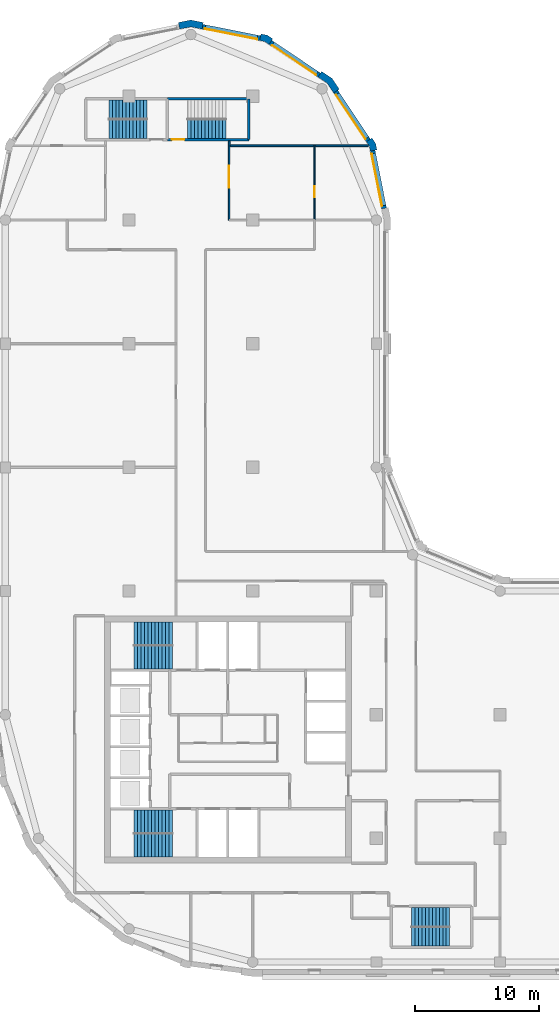
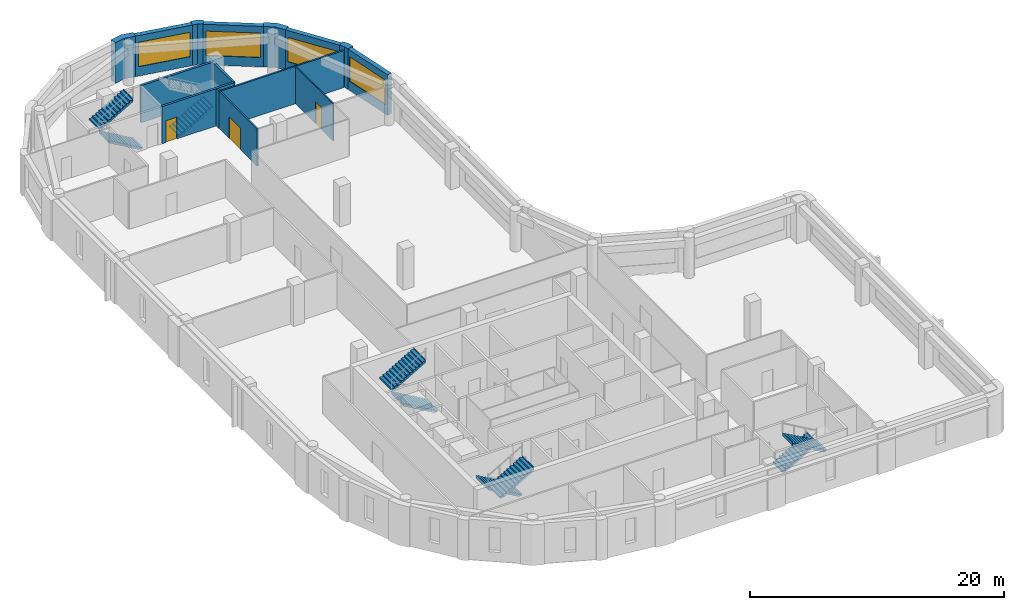
# One storey, part 6 of 9: 15 walls, 9 stair flights, 4 windows, 3 doors, 7 openings, 5 elements without a shape of their own.
"""IFC4 building model written with IfcOpenShell, lengths in metres."""

from ifc_helpers import new_model, si_unit, direction, frame, frame_2d, origin, place, context, subcontext, project, spatial, polyline, rectangle, outline, extrude, material, layer, layer_set, type_object, element, fill, aggregate, save


model = new_model("IFC4")

# Units and contexts
model_context = context("Model", 3, precision=1e-05, world=origin(), true_north=direction((0.0, 1.0)))
body_context = subcontext(model_context, "Body", "Model", "MODEL_VIEW")
ifc_project = project(units=[si_unit("LENGTHUNIT", "METRE"), si_unit("AREAUNIT", "SQUARE_METRE"), si_unit("VOLUMEUNIT", "CUBIC_METRE"), si_unit("PLANEANGLEUNIT", "RADIAN"), si_unit("MASSUNIT", "GRAM", prefix="KILO")], contexts=[model_context])

# Site, building, storey
site_placement = place(None, origin())
site = spatial("IfcSite", under=ifc_project, at=site_placement, CompositionType="ELEMENT")
building_placement = place(site_placement, origin())
building = spatial("IfcBuilding", under=site, at=building_placement, Name="Qaws Garden Tower", CompositionType="ELEMENT")
storey_placement = place(building_placement, frame((0.0, 0.0, 259.199951171875)))
storey = spatial("IfcBuildingStorey", under=building, at=storey_placement, Name="L62", CompositionType="ELEMENT", Elevation=259.199951171875)

# Wall, opening, window
ifc_material_1 = material(Name="Clay facing brick masonry", Category="masonry")
ifc_layer_1 = layer(ifc_material_1, 0.39990234375)
ifc_layer_set_1 = layer_set([ifc_layer_1], Name="Clay facing brick masonry")
wall_type_1 = type_object("IfcWallType", Name="Brick infill wall 400", PredefinedType="SOLIDWALL", material=ifc_layer_set_1)
wall_1_placement = place(storey_placement, frame((30.628662109375, 60.940673828125, 0.0), z_axis=(0.0, 0.0, 1.0), x_axis=(-0.195098533057, 0.98078364709, 0.0)))
wall_1 = element("IfcWall", 1, at=wall_1_placement, inside=storey, type_object=wall_type_1, Name="E-L62-infill-11", PredefinedType="SOLIDWALL", context=body_context, shape_type="SweptSolid", body=[
    extrude(rectangle(XDim=4.752685546875, YDim=0.39990234375, at=frame_2d((2.37646484375, 0.0))), origin(), (0.0, 0.0, 1.0), 3.900146484375),
])
opening_1_placement = place(wall_1_placement, frame((0.226318359375, 0.0, 0.89990234375)))
opening_1 = element("IfcOpeningElement", 2, at=opening_1_placement, cuts=wall_1, Name="Opening W06", PredefinedType="OPENING", context=body_context, shape_type="SweptSolid", body=[
    extrude(rectangle(XDim=4.300048828125, YDim=2.35009765625, at=frame_2d((2.14990234375, 1.175048828125))), frame((0.0, 0.2099609375, 0.0), z_axis=(0.0, -1.0, 0.0), x_axis=(1.0, 0.0, 0.0)), (0.0, 0.0, 1.0), 0.419921875),
])
ifc_material_2 = material(Name="Aluminium framed window, clear glazing", Category="aluminium")
window_type = type_object("IfcWindowType", Name="Ribbon window 4300 x 2350", PartitioningType="DOUBLE_PANEL_VERTICAL", PredefinedType="WINDOW", material=ifc_material_2)
window_1_placement = place(opening_1_placement, origin())
window_1 = element("IfcWindow", 3, at=window_1_placement, inside=storey, type_object=window_type, Name="E-L62-window-11-0", OverallHeight=2.35009765625, OverallWidth=4.300048828125, PartitioningType="SINGLE_PANEL", PredefinedType="WINDOW", context=body_context, shape_type="SweptSolid", body=[
    extrude(rectangle(XDim=4.300048828125, YDim=2.35009765625, at=frame_2d((2.14990234375, 1.175048828125))), frame((0.0, 0.159912109375, 0.0), z_axis=(0.0, -1.0, 0.0), x_axis=(1.0, 0.0, 0.0)), (0.0, 0.0, 1.0), 0.06005859375),
])
fill(opening_1, window_1)

wall_2_placement = place(storey_placement, frame((29.356689453125, 66.43408203125, 0.0), z_axis=(0.0, 0.0, 1.0), x_axis=(-0.555541552266, 0.831488775454, 0.0)))
wall_2 = element("IfcWall", 4, at=wall_2_placement, inside=storey, type_object=wall_type_1, Name="E-L62-infill-12", PredefinedType="SOLIDWALL", context=body_context, shape_type="SweptSolid", body=[
    extrude(rectangle(XDim=4.752685546875, YDim=0.39990234375, at=frame_2d((2.37646484375, 0.0))), origin(), (0.0, 0.0, 1.0), 3.900146484375),
])
opening_2_placement = place(wall_2_placement, frame((0.226318359375, 0.0, 0.89990234375)))
opening_2 = element("IfcOpeningElement", 5, at=opening_2_placement, cuts=wall_2, Name="Opening W06", PredefinedType="OPENING", context=body_context, shape_type="SweptSolid", body=[
    extrude(rectangle(XDim=4.300048828125, YDim=2.35009765625, at=frame_2d((2.14990234375, 1.175048828125))), frame((0.0, 0.2099609375, 0.0), z_axis=(0.0, -1.0, 0.0), x_axis=(1.0, 0.0, 0.0)), (0.0, 0.0, 1.0), 0.419921875),
])
window_2_placement = place(opening_2_placement, origin())
window_2 = element("IfcWindow", 6, at=window_2_placement, inside=storey, type_object=window_type, Name="E-L62-window-12-0", OverallHeight=2.35009765625, OverallWidth=4.300048828125, PartitioningType="SINGLE_PANEL", PredefinedType="WINDOW", context=body_context, shape_type="SweptSolid", body=[
    extrude(rectangle(XDim=4.300048828125, YDim=2.35009765625, at=frame_2d((2.14990234375, 1.175048828125))), frame((0.0, 0.159912109375, 0.0), z_axis=(0.0, -1.0, 0.0), x_axis=(1.0, 0.0, 0.0)), (0.0, 0.0, 1.0), 0.06005859375),
])
fill(opening_2, window_2)

wall_3_placement = place(storey_placement, frame((25.385986328125, 71.71630859375, 0.0), z_axis=(0.0, 0.0, 1.0), x_axis=(-0.831488775454, 0.555541552266, 0.0)))
wall_3 = element("IfcWall", 7, at=wall_3_placement, inside=storey, type_object=wall_type_1, Name="E-L62-infill-13", PredefinedType="SOLIDWALL", context=body_context, shape_type="SweptSolid", body=[
    extrude(rectangle(XDim=4.752685546875, YDim=0.39990234375, at=frame_2d((2.37646484375, 0.0))), origin(), (0.0, 0.0, 1.0), 3.900146484375),
])
opening_3_placement = place(wall_3_placement, frame((0.226318359375, 0.0, 0.89990234375)))
opening_3 = element("IfcOpeningElement", 8, at=opening_3_placement, cuts=wall_3, Name="Opening W06", PredefinedType="OPENING", context=body_context, shape_type="SweptSolid", body=[
    extrude(rectangle(XDim=4.300048828125, YDim=2.35009765625, at=frame_2d((2.14990234375, 1.175048828125))), frame((0.0, 0.2099609375, 0.0), z_axis=(0.0, -1.0, 0.0), x_axis=(1.0, 0.0, 0.0)), (0.0, 0.0, 1.0), 0.419921875),
])
window_3_placement = place(opening_3_placement, origin())
window_3 = element("IfcWindow", 9, at=window_3_placement, inside=storey, type_object=window_type, Name="E-L62-window-13-0", OverallHeight=2.35009765625, OverallWidth=4.300048828125, PartitioningType="SINGLE_PANEL", PredefinedType="WINDOW", context=body_context, shape_type="SweptSolid", body=[
    extrude(rectangle(XDim=4.300048828125, YDim=2.35009765625, at=frame_2d((2.14990234375, 1.175048828125))), frame((0.0, 0.159912109375, 0.0), z_axis=(0.0, -1.0, 0.0), x_axis=(1.0, 0.0, 0.0)), (0.0, 0.0, 1.0), 0.06005859375),
])
fill(opening_3, window_3)

wall_4_placement = place(storey_placement, frame((20.60205078125, 74.701416015625, 0.0), z_axis=(0.0, 0.0, 1.0), x_axis=(-0.98078364709, 0.195098533057, 0.0)))
wall_4 = element("IfcWall", 10, at=wall_4_placement, inside=storey, type_object=wall_type_1, Name="E-L62-infill-14", PredefinedType="SOLIDWALL", context=body_context, shape_type="SweptSolid", body=[
    extrude(rectangle(XDim=4.752685546875, YDim=0.39990234375, at=frame_2d((2.37646484375, 0.0))), origin(), (0.0, 0.0, 1.0), 3.900146484375),
])
opening_4_placement = place(wall_4_placement, frame((0.226318359375, 0.0, 0.89990234375)))
opening_4 = element("IfcOpeningElement", 11, at=opening_4_placement, cuts=wall_4, Name="Opening W06", PredefinedType="OPENING", context=body_context, shape_type="SweptSolid", body=[
    extrude(rectangle(XDim=4.300048828125, YDim=2.35009765625, at=frame_2d((2.14990234375, 1.175048828125))), frame((0.0, 0.2099609375, 0.0), z_axis=(0.0, -1.0, 0.0), x_axis=(1.0, 0.0, 0.0)), (0.0, 0.0, 1.0), 0.419921875),
])
window_4_placement = place(opening_4_placement, origin())
window_4 = element("IfcWindow", 12, at=window_4_placement, inside=storey, type_object=window_type, Name="E-L62-window-14-0", OverallHeight=2.35009765625, OverallWidth=4.300048828125, PartitioningType="SINGLE_PANEL", PredefinedType="WINDOW", context=body_context, shape_type="SweptSolid", body=[
    extrude(rectangle(XDim=4.300048828125, YDim=2.35009765625, at=frame_2d((2.14990234375, 1.175048828125))), frame((0.0, 0.159912109375, 0.0), z_axis=(0.0, -1.0, 0.0), x_axis=(1.0, 0.0, 0.0)), (0.0, 0.0, 1.0), 0.06005859375),
])
fill(opening_4, window_4)

# Walls
ifc_material_3 = material(Name="Clay facing brick masonry", Category="masonry")
ifc_layer_2 = layer(ifc_material_3, 0.550048828125)
ifc_layer_set_2 = layer_set([ifc_layer_2], Name="Clay facing brick masonry")
wall_type_2 = type_object("IfcWallType", Name="Brick kink pier 550 x 600", PredefinedType="SOLIDWALL", material=ifc_layer_set_2)
placement = place(storey_placement, origin())
element("IfcWall", 13, at=placement, inside=storey, type_object=wall_type_2, Name="E-L62-pier-12", PredefinedType="SOLIDWALL", context=body_context, shape_type="SweptSolid", body=[
    extrude(outline(polyline([(29.8974609375, 65.64111328125), (30.044677734375, 65.67041015625), (29.94140625, 66.18896484375), (29.647705078125, 66.628662109375), (29.52294921875, 66.545166015625), (29.1904296875, 66.322998046875), (29.42333984375, 65.974365234375), (29.505126953125, 65.56298828125), (29.8974609375, 65.64111328125)])), origin(), (0.0, 0.0, 1.0), 3.900146484375),
])
element("IfcWall", 14, at=placement, inside=storey, type_object=wall_type_2, Name="E-L62-pier-14", PredefinedType="SOLIDWALL", context=body_context, shape_type="SweptSolid", body=[
    extrude(outline(polyline([(21.545166015625, 74.52294921875), (21.628662109375, 74.647705078125), (21.18896484375, 74.94140625), (20.67041015625, 75.044677734375), (20.64111328125, 74.8974609375), (20.56298828125, 74.505126953125), (20.974365234375, 74.42333984375), (21.322998046875, 74.1904296875), (21.545166015625, 74.52294921875)])), origin(), (0.0, 0.0, 1.0), 3.900146484375),
])
ifc_material_4 = material(Name="Clay facing brick masonry", Category="masonry")
ifc_layer_3 = layer(ifc_material_4, 0.550048828125)
ifc_layer_set_3 = layer_set([ifc_layer_3], Name="Clay facing brick masonry")
wall_type_3 = type_object("IfcWallType", Name="Brick pier 550 x 1600", PredefinedType="SOLIDWALL", material=ifc_layer_set_3)
element("IfcWall", 15, at=placement, inside=storey, type_object=wall_type_3, Name="E-L62-pier-13", PredefinedType="SOLIDWALL", context=body_context, shape_type="SweptSolid", body=[
    extrude(outline(polyline([(26.882568359375, 70.4970703125), (27.00732421875, 70.580322265625), (26.435791015625, 71.435791015625), (25.580322265625, 72.00732421875), (25.4970703125, 71.882568359375), (25.274658203125, 71.550048828125), (26.0390625, 71.0390625), (26.550048828125, 70.274658203125), (26.882568359375, 70.4970703125)])), origin(), (0.0, 0.0, 1.0), 3.900146484375),
])
element("IfcWall", 16, at=placement, inside=storey, type_object=wall_type_3, Name="E-L62-pier-15", PredefinedType="SOLIDWALL", context=body_context, shape_type="SweptSolid", body=[
    extrude(outline(polyline([(15.979736328125, 75.82470703125), (16.009033203125, 75.971923828125), (15.0, 76.172607421875), (13.990966796875, 75.971923828125), (14.020263671875, 75.82470703125), (14.098388671875, 75.432373046875), (15.0, 75.61181640625), (15.901611328125, 75.432373046875), (15.979736328125, 75.82470703125)])), origin(), (0.0, 0.0, 1.0), 3.900146484375),
])

# Wall, opening, door
ifc_material_5 = material(Name="Concrete C60", Category="concrete")
ifc_layer_4 = layer(ifc_material_5, 0.199951171875)
ifc_layer_set_4 = layer_set([ifc_layer_4], Name="Concrete C60")
wall_type_4 = type_object("IfcWallType", Name="Core shaft wall 200 C60", PredefinedType="SHEAR", material=ifc_layer_set_4)
wall_9_placement = place(storey_placement, frame((13.10009765625, 66.5, 0.0), z_axis=(0.0, 0.0, 1.0), x_axis=(1.0, 0.0, 0.0)))
wall_9 = element("IfcWall", 17, at=wall_9_placement, inside=storey, type_object=wall_type_4, Name="Shaft wall", PredefinedType="SHEAR", context=body_context, shape_type="SweptSolid", body=[
    extrude(rectangle(XDim=6.599853515625, YDim=0.199951171875, at=frame_2d((3.2998046875, 0.0))), origin(), (0.0, 0.0, 1.0), 3.580078125),
])
opening_5_placement = place(wall_9_placement, frame((0.375, 0.0, 0.0)))
opening_5 = element("IfcOpeningElement", 18, at=opening_5_placement, cuts=wall_9, Name="Opening SD14", PredefinedType="OPENING", context=body_context, shape_type="SweptSolid", body=[
    extrude(rectangle(XDim=1.0, YDim=2.10009765625, at=frame_2d((0.5, 1.050048828125))), frame((0.0, 0.10986328125, 0.0), z_axis=(0.0, -1.0, 0.0), x_axis=(1.0, 0.0, 0.0)), (0.0, 0.0, 1.0), 0.219970703125),
])
ifc_material_6 = material(Name="Steel S235", Category="steel")
door_type_1 = type_object("IfcDoorType", Name="Stair door 1000x2100", OperationType="SINGLE_SWING_RIGHT", PredefinedType="DOOR", material=ifc_material_6)
door_1_placement = place(opening_5_placement, origin())
door_1 = element("IfcDoor", 19, at=door_1_placement, inside=storey, type_object=door_type_1, Name="Stair 7 door", OperationType="SINGLE_SWING_LEFT", OverallHeight=2.10009765625, OverallWidth=1.0, PredefinedType="DOOR", context=body_context, shape_type="SweptSolid", body=[
    extrude(rectangle(XDim=1.0, YDim=2.10009765625, at=frame_2d((0.5, 1.050048828125))), frame((0.0, 0.02490234375, 0.0), z_axis=(0.0, -1.0, 0.0), x_axis=(1.0, 0.0, 0.0)), (0.0, 0.0, 1.0), 0.050048828125),
])
fill(opening_5, door_1)

# Walls
wall_10_placement = place(storey_placement, frame((13.10009765625, 69.800048828125, 0.0), z_axis=(0.0, 0.0, 1.0), x_axis=(1.0, 0.0, 0.0)))
element("IfcWall", 20, at=wall_10_placement, inside=storey, type_object=wall_type_4, Name="Shaft wall", PredefinedType="SHEAR", context=body_context, shape_type="SweptSolid", body=[
    extrude(rectangle(XDim=6.599853515625, YDim=0.199951171875, at=frame_2d((3.2998046875, 0.0))), origin(), (0.0, 0.0, 1.0), 3.580078125),
])
wall_11_placement = place(storey_placement, frame((19.699951171875, 66.5, 0.0), z_axis=(0.0, 0.0, 1.0), x_axis=(0.0, 1.0, 0.0)))
element("IfcWall", 21, at=wall_11_placement, inside=storey, type_object=wall_type_4, Name="Shaft wall", PredefinedType="SHEAR", context=body_context, shape_type="SweptSolid", body=[
    extrude(rectangle(XDim=3.300048828125, YDim=0.199951171875, at=frame_2d((1.64990234375, 0.0))), origin(), (0.0, 0.0, 1.0), 3.580078125),
])

# Wall, opening, door
ifc_material_7 = material(Name="Glass and aluminium framing", Category="aluminium")
ifc_layer_5 = layer(ifc_material_7, 0.1201171875)
ifc_layer_set_5 = layer_set([ifc_layer_5], Name="Glass and aluminium framing")
wall_type_5 = type_object("IfcWallType", Name="GLAZED PARTITION 120 EI 30", PredefinedType="PARTITIONING", material=ifc_layer_set_5)
wall_12_placement = place(storey_placement, frame((18.10009765625, 60.0, 0.0), z_axis=(0.0, 0.0, 1.0), x_axis=(0.0, 1.0, 0.0)))
wall_12 = element("IfcWall", 22, at=wall_12_placement, inside=storey, type_object=wall_type_5, Name="O-L62-wall-037", PredefinedType="PARTITIONING", context=body_context, shape_type="SweptSolid", body=[
    extrude(rectangle(XDim=6.0, YDim=0.1201171875, at=frame_2d((3.0, 0.0))), origin(), (0.0, 0.0, 1.0), 3.580078125),
])
opening_6_placement = place(wall_12_placement, frame((2.60009765625, 0.0, 0.0)))
opening_6 = element("IfcOpeningElement", 23, at=opening_6_placement, cuts=wall_12, Name="Opening C106", PredefinedType="OPENING", context=body_context, shape_type="SweptSolid", body=[
    extrude(rectangle(XDim=1.800048828125, YDim=2.10009765625, at=frame_2d((0.89990234375, 1.050048828125))), frame((0.0, 0.070068359375, 0.0), z_axis=(0.0, -1.0, 0.0), x_axis=(1.0, 0.0, 0.0)), (0.0, 0.0, 1.0), 0.14013671875),
])
ifc_material_8 = material(Name="Timber door leaf", Category="wood")
door_type_2 = type_object("IfcDoorType", Name="DOUBLE DOOR 1800 X 2100", OperationType="DOUBLE_DOOR_SINGLE_SWING", PredefinedType="DOOR", material=ifc_material_8)
door_2_placement = place(opening_6_placement, frame((1.800048828125, 0.0, 0.0), z_axis=(0.0, 0.0, 1.0), x_axis=(-1.0, 0.0, 0.0)))
door_2 = element("IfcDoor", 24, at=door_2_placement, inside=storey, type_object=door_type_2, Name="O-L62-door-006", OperationType="DOUBLE_DOOR_SINGLE_SWING", OverallHeight=2.10009765625, OverallWidth=1.800048828125, PredefinedType="DOOR", context=body_context, shape_type="SweptSolid", body=[
    extrude(rectangle(XDim=1.800048828125, YDim=2.10009765625, at=frame_2d((0.89990234375, 1.050048828125))), frame((0.0, 0.02490234375, 0.0), z_axis=(0.0, -1.0, 0.0), x_axis=(1.0, 0.0, 0.0)), (0.0, 0.0, 1.0), 0.050048828125),
])
fill(opening_6, door_2)

ifc_material_9 = material(Name="Gypsum board partition")
ifc_layer_6 = layer(ifc_material_9, 0.10009765625)
ifc_layer_set_6 = layer_set([ifc_layer_6], Name="Gypsum board partition")
wall_type_6 = type_object("IfcWallType", Name="PARTITION 100", PredefinedType="PARTITIONING", material=ifc_layer_set_6)
wall_13_placement = place(storey_placement, frame((25.0, 60.0, 0.0), z_axis=(0.0, 0.0, 1.0), x_axis=(0.0, 1.0, 0.0)))
wall_13 = element("IfcWall", 25, at=wall_13_placement, inside=storey, type_object=wall_type_6, Name="O-L62-wall-001", PredefinedType="PARTITIONING", context=body_context, shape_type="SweptSolid", body=[
    extrude(rectangle(XDim=6.0, YDim=0.10009765625, at=frame_2d((3.0, 0.0))), origin(), (0.0, 0.0, 1.0), 3.580078125),
])
opening_7_placement = place(wall_13_placement, frame((1.85009765625, 0.0, 0.0)))
opening_7 = element("IfcOpeningElement", 26, at=opening_7_placement, cuts=wall_13, Name="Opening C116", PredefinedType="OPENING", context=body_context, shape_type="SweptSolid", body=[
    extrude(rectangle(XDim=0.89990234375, YDim=2.10009765625, at=frame_2d((0.449951171875, 1.050048828125))), frame((0.0, 0.06005859375, 0.0), z_axis=(0.0, -1.0, 0.0), x_axis=(1.0, 0.0, 0.0)), (0.0, 0.0, 1.0), 0.1201171875),
])
ifc_material_10 = material(Name="Timber door leaf", Category="wood")
door_type_3 = type_object("IfcDoorType", Name="OFFICE DOOR 900 X 2100", OperationType="SINGLE_SWING_LEFT", PredefinedType="DOOR", material=ifc_material_10)
door_3_placement = place(opening_7_placement, frame((0.89990234375, 0.0, 0.0), z_axis=(0.0, 0.0, 1.0), x_axis=(-1.0, 0.0, 0.0)))
door_3 = element("IfcDoor", 27, at=door_3_placement, inside=storey, type_object=door_type_3, Name="O-L62-door-016", OperationType="SINGLE_SWING_RIGHT", OverallHeight=2.10009765625, OverallWidth=0.89990234375, PredefinedType="DOOR", context=body_context, shape_type="SweptSolid", body=[
    extrude(rectangle(XDim=0.89990234375, YDim=2.10009765625, at=frame_2d((0.449951171875, 1.050048828125))), frame((0.0, 0.02490234375, 0.0), z_axis=(0.0, -1.0, 0.0), x_axis=(1.0, 0.0, 0.0)), (0.0, 0.0, 1.0), 0.050048828125),
])
fill(opening_7, door_3)

# Walls
ifc_material_11 = material(Name="Gypsum board partition")
ifc_layer_7 = layer(ifc_material_11, 0.14990234375)
ifc_layer_set_7 = layer_set([ifc_layer_7], Name="Gypsum board partition")
wall_type_7 = type_object("IfcWallType", Name="PARTITION 150 EI 60", PredefinedType="PARTITIONING", material=ifc_layer_set_7)
wall_14_placement = place(storey_placement, frame((18.10009765625, 66.0, 0.0), z_axis=(0.0, 0.0, 1.0), x_axis=(0.0, 1.0, 0.0)))
element("IfcWall", 28, at=wall_14_placement, inside=storey, type_object=wall_type_7, Name="O-L62-wall-008", PredefinedType="PARTITIONING", context=body_context, shape_type="SweptSolid", body=[
    extrude(rectangle(XDim=0.39990234375, YDim=0.14990234375, at=frame_2d((0.199951171875, 0.0))), origin(), (0.0, 0.0, 1.0), 3.580078125),
])
wall_15_placement = place(storey_placement, frame((18.10009765625, 66.0, 0.0), z_axis=(0.0, 0.0, 1.0), x_axis=(1.0, 0.0, 0.0)))
element("IfcWall", 29, at=wall_15_placement, inside=storey, type_object=wall_type_7, Name="O-L62-wall-035", PredefinedType="PARTITIONING", context=body_context, shape_type="SweptSolid", body=[
    extrude(rectangle(XDim=11.256103515625, YDim=0.14990234375, at=frame_2d((5.6279296875, 0.0))), origin(), (0.0, 0.0, 1.0), 3.580078125),
])

# Stair, stair flights
ifc_material_12 = material(Name="Concrete C40", Category="concrete")
stair_type_1 = type_object("IfcStairType", Name="Exit stair 1350", PredefinedType="HALF_TURN_STAIR", material=ifc_material_12)
stair_1 = element("IfcStair", 30, at=placement, inside=storey, type_object=stair_type_1, Name="Stair 5", PredefinedType="HALF_TURN_STAIR")
ifc_material_13 = material(Name="Concrete C40", Category="concrete")
stair_flight_type_1 = type_object("IfcStairFlightType", Name="Stair flight 1350", PredefinedType="STRAIGHT", material=ifc_material_13)
stair_flight_1_placement = place(storey_placement, frame((32.85009765625, 3.625, 0.0), z_axis=(0.0, 0.0, 1.0), x_axis=(1.0, 0.0, 0.0)))
stair_flight_1 = element("IfcStairFlight", 31, at=stair_flight_1_placement, type_object=stair_flight_type_1, Name="ST5 flight 1", NumberOfRisers=12, NumberOfTreads=11, PredefinedType="STRAIGHT", RiserHeight=0.1625, TreadLength=0.28, context=body_context, shape_type="SweptSolid", body=[
    extrude(outline(polyline([(-0.0029296875, 0.0), (-0.0029296875, 0.16259765625), (0.0, 0.16259765625), (0.280029296875, 0.16259765625), (0.280029296875, 0.324951171875), (0.56005859375, 0.324951171875), (0.56005859375, 0.487548828125), (0.840087890625, 0.487548828125), (0.840087890625, 0.64990234375), (1.1201171875, 0.64990234375), (1.1201171875, 0.8125), (1.39990234375, 0.8125), (1.39990234375, 0.97509765625), (1.679931640625, 0.97509765625), (1.679931640625, 1.137451171875), (1.9599609375, 1.137451171875), (1.9599609375, 1.300048828125), (2.239990234375, 1.300048828125), (2.239990234375, 1.46240234375), (2.52001953125, 1.46240234375), (2.52001953125, 1.625), (2.800048828125, 1.625), (2.800048828125, 1.78759765625), (3.080078125, 1.78759765625), (3.080078125, 1.949951171875), (3.0830078125, 1.949951171875), (3.0830078125, 1.6142578125), (3.080078125, 1.6142578125), (0.298583984375, 0.0), (-0.0029296875, 0.0)])), frame((0.0, 0.77490234375, 0.0), z_axis=(0.0, -1.0, 0.0), x_axis=(1.0, 0.0, 0.0)), (0.0, 0.0, 1.0), 1.550048828125),
])
stair_flight_2_placement = place(storey_placement, frame((35.929931640625, 2.074951171875, 1.949951171875), z_axis=(0.0, 0.0, 1.0), x_axis=(-1.0, 0.0, 0.0)))
stair_flight_2 = element("IfcStairFlight", 32, at=stair_flight_2_placement, type_object=stair_flight_type_1, Name="ST5 flight 2", NumberOfRisers=12, NumberOfTreads=11, PredefinedType="STRAIGHT", RiserHeight=0.1625, TreadLength=0.28, context=body_context, shape_type="SweptSolid", body=[
    extrude(outline(polyline([(-0.0029296875, 0.0), (-0.0029296875, 0.16259765625), (0.0, 0.16259765625), (0.280029296875, 0.16259765625), (0.280029296875, 0.324951171875), (0.56005859375, 0.324951171875), (0.56005859375, 0.487548828125), (0.840087890625, 0.487548828125), (0.840087890625, 0.64990234375), (1.1201171875, 0.64990234375), (1.1201171875, 0.8125), (1.39990234375, 0.8125), (1.39990234375, 0.97509765625), (1.679931640625, 0.97509765625), (1.679931640625, 1.137451171875), (1.9599609375, 1.137451171875), (1.9599609375, 1.300048828125), (2.239990234375, 1.300048828125), (2.239990234375, 1.46240234375), (2.52001953125, 1.46240234375), (2.52001953125, 1.625), (2.800048828125, 1.625), (2.800048828125, 1.78759765625), (3.080078125, 1.78759765625), (3.080078125, 1.949951171875), (3.0830078125, 1.949951171875), (3.0830078125, 1.6142578125), (3.080078125, 1.6142578125), (0.298583984375, 0.0), (-0.0029296875, 0.0)])), frame((0.0, 0.77490234375, 0.0), z_axis=(0.0, -1.0, 0.0), x_axis=(1.0, 0.0, 0.0)), (0.0, 0.0, 1.0), 1.550048828125),
])
aggregate(stair_1, [stair_flight_1, stair_flight_2])

stair_2 = element("IfcStair", 33, at=placement, inside=storey, type_object=stair_type_1, Name="Stair 6", PredefinedType="HALF_TURN_STAIR")
stair_flight_3_placement = place(storey_placement, frame((11.449951171875, 67.375, 0.0), z_axis=(0.0, 0.0, 1.0), x_axis=(-1.0, 0.0, 0.0)))
stair_flight_3 = element("IfcStairFlight", 34, at=stair_flight_3_placement, type_object=stair_flight_type_1, Name="ST6 flight 1", NumberOfRisers=12, NumberOfTreads=11, PredefinedType="STRAIGHT", RiserHeight=0.1625, TreadLength=0.28, context=body_context, shape_type="SweptSolid", body=[
    extrude(outline(polyline([(-0.0029296875, 0.0), (-0.0029296875, 0.16259765625), (0.0, 0.16259765625), (0.280029296875, 0.16259765625), (0.280029296875, 0.324951171875), (0.56005859375, 0.324951171875), (0.56005859375, 0.487548828125), (0.840087890625, 0.487548828125), (0.840087890625, 0.64990234375), (1.1201171875, 0.64990234375), (1.1201171875, 0.8125), (1.39990234375, 0.8125), (1.39990234375, 0.97509765625), (1.679931640625, 0.97509765625), (1.679931640625, 1.137451171875), (1.9599609375, 1.137451171875), (1.9599609375, 1.300048828125), (2.239990234375, 1.300048828125), (2.239990234375, 1.46240234375), (2.52001953125, 1.46240234375), (2.52001953125, 1.625), (2.800048828125, 1.625), (2.800048828125, 1.78759765625), (3.080078125, 1.78759765625), (3.080078125, 1.949951171875), (3.0830078125, 1.949951171875), (3.0830078125, 1.6142578125), (3.080078125, 1.6142578125), (0.298583984375, 0.0), (-0.0029296875, 0.0)])), frame((0.0, 0.77490234375, 0.0), z_axis=(0.0, -1.0, 0.0), x_axis=(1.0, 0.0, 0.0)), (0.0, 0.0, 1.0), 1.550048828125),
])
stair_flight_4_placement = place(storey_placement, frame((8.3701171875, 68.925048828125, 1.949951171875), z_axis=(0.0, 0.0, 1.0), x_axis=(1.0, 0.0, 0.0)))
stair_flight_4 = element("IfcStairFlight", 35, at=stair_flight_4_placement, type_object=stair_flight_type_1, Name="ST6 flight 2", NumberOfRisers=12, NumberOfTreads=11, PredefinedType="STRAIGHT", RiserHeight=0.1625, TreadLength=0.28, context=body_context, shape_type="SweptSolid", body=[
    extrude(outline(polyline([(-0.0029296875, 0.0), (-0.0029296875, 0.16259765625), (0.0, 0.16259765625), (0.280029296875, 0.16259765625), (0.280029296875, 0.324951171875), (0.56005859375, 0.324951171875), (0.56005859375, 0.487548828125), (0.840087890625, 0.487548828125), (0.840087890625, 0.64990234375), (1.1201171875, 0.64990234375), (1.1201171875, 0.8125), (1.39990234375, 0.8125), (1.39990234375, 0.97509765625), (1.679931640625, 0.97509765625), (1.679931640625, 1.137451171875), (1.9599609375, 1.137451171875), (1.9599609375, 1.300048828125), (2.239990234375, 1.300048828125), (2.239990234375, 1.46240234375), (2.52001953125, 1.46240234375), (2.52001953125, 1.625), (2.800048828125, 1.625), (2.800048828125, 1.78759765625), (3.080078125, 1.78759765625), (3.080078125, 1.949951171875), (3.0830078125, 1.949951171875), (3.0830078125, 1.6142578125), (3.080078125, 1.6142578125), (0.298583984375, 0.0), (-0.0029296875, 0.0)])), frame((0.0, 0.77490234375, 0.0), z_axis=(0.0, -1.0, 0.0), x_axis=(1.0, 0.0, 0.0)), (0.0, 0.0, 1.0), 1.550048828125),
])
aggregate(stair_2, [stair_flight_3, stair_flight_4])

# Stair, stair flight
stair_3 = element("IfcStair", 36, at=placement, inside=storey, type_object=stair_type_1, Name="Stair 7", PredefinedType="HALF_TURN_STAIR")
stair_flight_5_placement = place(storey_placement, frame((14.75, 67.375, 0.0), z_axis=(0.0, 0.0, 1.0), x_axis=(1.0, 0.0, 0.0)))
stair_flight_5 = element("IfcStairFlight", 37, at=stair_flight_5_placement, type_object=stair_flight_type_1, Name="ST7 flight 1", NumberOfRisers=12, NumberOfTreads=11, PredefinedType="STRAIGHT", RiserHeight=0.1625, TreadLength=0.28, context=body_context, shape_type="SweptSolid", body=[
    extrude(outline(polyline([(-0.0029296875, 0.0), (-0.0029296875, 0.16259765625), (0.0, 0.16259765625), (0.280029296875, 0.16259765625), (0.280029296875, 0.324951171875), (0.56005859375, 0.324951171875), (0.56005859375, 0.487548828125), (0.840087890625, 0.487548828125), (0.840087890625, 0.64990234375), (1.1201171875, 0.64990234375), (1.1201171875, 0.8125), (1.39990234375, 0.8125), (1.39990234375, 0.97509765625), (1.679931640625, 0.97509765625), (1.679931640625, 1.137451171875), (1.9599609375, 1.137451171875), (1.9599609375, 1.300048828125), (2.239990234375, 1.300048828125), (2.239990234375, 1.46240234375), (2.52001953125, 1.46240234375), (2.52001953125, 1.625), (2.800048828125, 1.625), (2.800048828125, 1.78759765625), (3.080078125, 1.78759765625), (3.080078125, 1.949951171875), (3.0830078125, 1.949951171875), (3.0830078125, 1.6142578125), (3.080078125, 1.6142578125), (0.298583984375, 0.0), (-0.0029296875, 0.0)])), frame((0.0, 0.77490234375, 0.0), z_axis=(0.0, -1.0, 0.0), x_axis=(1.0, 0.0, 0.0)), (0.0, 0.0, 1.0), 1.550048828125),
])
aggregate(stair_3, [stair_flight_5])

# Stair, stair flights
ifc_material_14 = material(Name="Concrete C40", Category="concrete")
stair_type_2 = type_object("IfcStairType", Name="Exit stair 1500", PredefinedType="HALF_TURN_STAIR", material=ifc_material_14)
stair_4 = element("IfcStair", 38, at=placement, inside=storey, type_object=stair_type_2, Name="Stair 1", PredefinedType="HALF_TURN_STAIR")
ifc_material_15 = material(Name="Concrete C40", Category="concrete")
stair_flight_type_2 = type_object("IfcStairFlightType", Name="Stair flight 1500", PredefinedType="STRAIGHT", material=ifc_material_15)
stair_flight_6_placement = place(storey_placement, frame((13.5, 11.35009765625, 0.0), z_axis=(0.0, 0.0, 1.0), x_axis=(-1.0, 0.0, 0.0)))
stair_flight_6 = element("IfcStairFlight", 39, at=stair_flight_6_placement, type_object=stair_flight_type_2, Name="ST1 flight 1", NumberOfRisers=12, NumberOfTreads=11, PredefinedType="STRAIGHT", RiserHeight=0.1625, TreadLength=0.28, context=body_context, shape_type="SweptSolid", body=[
    extrude(outline(polyline([(-0.0029296875, 0.0), (-0.0029296875, 0.16259765625), (0.0, 0.16259765625), (0.280029296875, 0.16259765625), (0.280029296875, 0.324951171875), (0.56005859375, 0.324951171875), (0.56005859375, 0.487548828125), (0.840087890625, 0.487548828125), (0.840087890625, 0.64990234375), (1.1201171875, 0.64990234375), (1.1201171875, 0.8125), (1.39990234375, 0.8125), (1.39990234375, 0.97509765625), (1.679931640625, 0.97509765625), (1.679931640625, 1.137451171875), (1.9599609375, 1.137451171875), (1.9599609375, 1.300048828125), (2.239990234375, 1.300048828125), (2.239990234375, 1.46240234375), (2.52001953125, 1.46240234375), (2.52001953125, 1.625), (2.800048828125, 1.625), (2.800048828125, 1.78759765625), (3.080078125, 1.78759765625), (3.080078125, 1.949951171875), (3.0830078125, 1.949951171875), (3.0830078125, 1.6142578125), (3.080078125, 1.6142578125), (0.298583984375, 0.0), (-0.0029296875, 0.0)])), frame((0.0, 0.949951171875, 0.0), z_axis=(0.0, -1.0, 0.0), x_axis=(1.0, 0.0, 0.0)), (0.0, 0.0, 1.0), 1.89990234375),
])
stair_flight_7_placement = place(storey_placement, frame((10.419921875, 9.449951171875, 1.949951171875), z_axis=(0.0, 0.0, 1.0), x_axis=(1.0, 0.0, 0.0)))
stair_flight_7 = element("IfcStairFlight", 40, at=stair_flight_7_placement, type_object=stair_flight_type_2, Name="ST1 flight 2", NumberOfRisers=12, NumberOfTreads=11, PredefinedType="STRAIGHT", RiserHeight=0.1625, TreadLength=0.28, context=body_context, shape_type="SweptSolid", body=[
    extrude(outline(polyline([(-0.0029296875, 0.0), (-0.0029296875, 0.16259765625), (0.0, 0.16259765625), (0.280029296875, 0.16259765625), (0.280029296875, 0.324951171875), (0.56005859375, 0.324951171875), (0.56005859375, 0.487548828125), (0.840087890625, 0.487548828125), (0.840087890625, 0.64990234375), (1.1201171875, 0.64990234375), (1.1201171875, 0.8125), (1.39990234375, 0.8125), (1.39990234375, 0.97509765625), (1.679931640625, 0.97509765625), (1.679931640625, 1.137451171875), (1.9599609375, 1.137451171875), (1.9599609375, 1.300048828125), (2.239990234375, 1.300048828125), (2.239990234375, 1.46240234375), (2.52001953125, 1.46240234375), (2.52001953125, 1.625), (2.800048828125, 1.625), (2.800048828125, 1.78759765625), (3.080078125, 1.78759765625), (3.080078125, 1.949951171875), (3.0830078125, 1.949951171875), (3.0830078125, 1.6142578125), (3.080078125, 1.6142578125), (0.298583984375, 0.0), (-0.0029296875, 0.0)])), frame((0.0, 0.949951171875, 0.0), z_axis=(0.0, -1.0, 0.0), x_axis=(1.0, 0.0, 0.0)), (0.0, 0.0, 1.0), 1.89990234375),
])
aggregate(stair_4, [stair_flight_6, stair_flight_7])

stair_5 = element("IfcStair", 41, at=placement, inside=storey, type_object=stair_type_2, Name="Stair 4", PredefinedType="HALF_TURN_STAIR")
stair_flight_8_placement = place(storey_placement, frame((13.5, 24.64990234375, 0.0), z_axis=(0.0, 0.0, 1.0), x_axis=(-1.0, 0.0, 0.0)))
stair_flight_8 = element("IfcStairFlight", 42, at=stair_flight_8_placement, type_object=stair_flight_type_2, Name="ST4 flight 1", NumberOfRisers=12, NumberOfTreads=11, PredefinedType="STRAIGHT", RiserHeight=0.1625, TreadLength=0.28, context=body_context, shape_type="SweptSolid", body=[
    extrude(outline(polyline([(-0.0029296875, 0.0), (-0.0029296875, 0.16259765625), (0.0, 0.16259765625), (0.280029296875, 0.16259765625), (0.280029296875, 0.324951171875), (0.56005859375, 0.324951171875), (0.56005859375, 0.487548828125), (0.840087890625, 0.487548828125), (0.840087890625, 0.64990234375), (1.1201171875, 0.64990234375), (1.1201171875, 0.8125), (1.39990234375, 0.8125), (1.39990234375, 0.97509765625), (1.679931640625, 0.97509765625), (1.679931640625, 1.137451171875), (1.9599609375, 1.137451171875), (1.9599609375, 1.300048828125), (2.239990234375, 1.300048828125), (2.239990234375, 1.46240234375), (2.52001953125, 1.46240234375), (2.52001953125, 1.625), (2.800048828125, 1.625), (2.800048828125, 1.78759765625), (3.080078125, 1.78759765625), (3.080078125, 1.949951171875), (3.0830078125, 1.949951171875), (3.0830078125, 1.6142578125), (3.080078125, 1.6142578125), (0.298583984375, 0.0), (-0.0029296875, 0.0)])), frame((0.0, 0.94482421875, 0.0), z_axis=(0.0, -1.0, 0.0), x_axis=(1.0, 0.0, 0.0)), (0.0, 0.0, 1.0), 1.889892578125),
])
stair_flight_9_placement = place(storey_placement, frame((10.419921875, 26.550048828125, 1.949951171875), z_axis=(0.0, 0.0, 1.0), x_axis=(1.0, 0.0, 0.0)))
stair_flight_9 = element("IfcStairFlight", 43, at=stair_flight_9_placement, type_object=stair_flight_type_2, Name="ST4 flight 2", NumberOfRisers=12, NumberOfTreads=11, PredefinedType="STRAIGHT", RiserHeight=0.1625, TreadLength=0.28, context=body_context, shape_type="SweptSolid", body=[
    extrude(outline(polyline([(-0.0029296875, 0.0), (-0.0029296875, 0.16259765625), (0.0, 0.16259765625), (0.280029296875, 0.16259765625), (0.280029296875, 0.324951171875), (0.56005859375, 0.324951171875), (0.56005859375, 0.487548828125), (0.840087890625, 0.487548828125), (0.840087890625, 0.64990234375), (1.1201171875, 0.64990234375), (1.1201171875, 0.8125), (1.39990234375, 0.8125), (1.39990234375, 0.97509765625), (1.679931640625, 0.97509765625), (1.679931640625, 1.137451171875), (1.9599609375, 1.137451171875), (1.9599609375, 1.300048828125), (2.239990234375, 1.300048828125), (2.239990234375, 1.46240234375), (2.52001953125, 1.46240234375), (2.52001953125, 1.625), (2.800048828125, 1.625), (2.800048828125, 1.78759765625), (3.080078125, 1.78759765625), (3.080078125, 1.949951171875), (3.0830078125, 1.949951171875), (3.0830078125, 1.6142578125), (3.080078125, 1.6142578125), (0.298583984375, 0.0), (-0.0029296875, 0.0)])), frame((0.0, 0.94482421875, 0.0), z_axis=(0.0, -1.0, 0.0), x_axis=(1.0, 0.0, 0.0)), (0.0, 0.0, 1.0), 1.889892578125),
])
aggregate(stair_5, [stair_flight_8, stair_flight_9])

save(model, "model.ifc")
